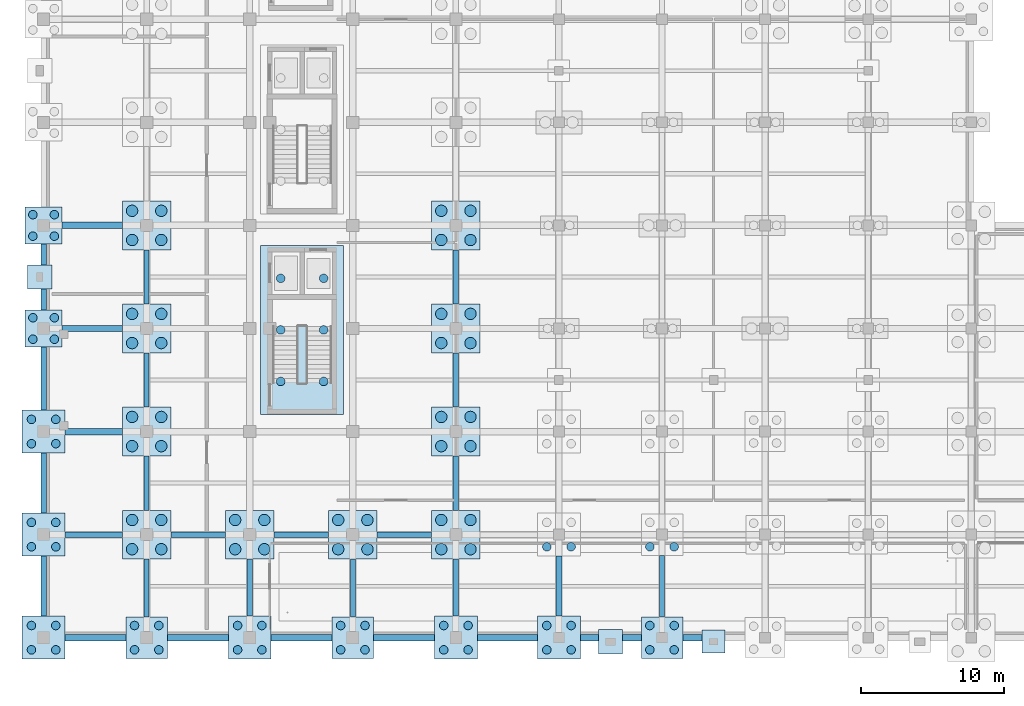
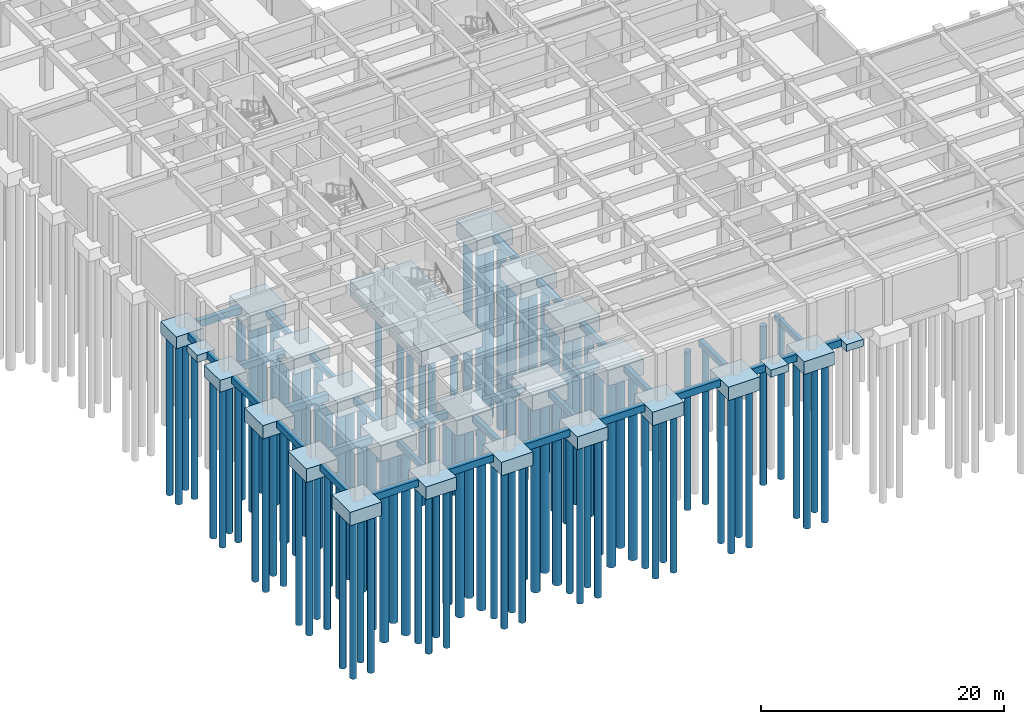
# One storey, part 1 of 28: 94 piles, 57 footings.
"""IFC4 building model written with IfcOpenShell, lengths in metres."""

from ifc_helpers import new_model, si_unit, direction, frame, origin, origin_2d, place, context, subcontext, project, spatial, rectangle, circle, extrude, material, material_profile, profile_set, type_object, element, save


model = new_model("IFC4")

# Units and contexts
model_context = context("Model", 3, precision=1e-05, world=origin(), true_north=direction((0.0, 1.0)))
body_context = subcontext(model_context, "Body", "Model", "MODEL_VIEW")
ifc_project = project(units=[si_unit("LENGTHUNIT", "METRE"), si_unit("AREAUNIT", "SQUARE_METRE"), si_unit("VOLUMEUNIT", "CUBIC_METRE"), si_unit("PLANEANGLEUNIT", "RADIAN"), si_unit("MASSUNIT", "GRAM", prefix="KILO")], contexts=[model_context])

# Site, building, storey
site_placement = place(None, origin())
site = spatial("IfcSite", under=ifc_project, at=site_placement, CompositionType="ELEMENT")
building_placement = place(site_placement, origin())
building = spatial("IfcBuilding", under=site, at=building_placement, Name="Alvorim Cloister Faculty of Sciences", CompositionType="ELEMENT")
storey_placement = place(building_placement, frame((0.0, 0.0, -4.5)))
storey = spatial("IfcBuildingStorey", under=building, at=storey_placement, Name="B01", CompositionType="ELEMENT", Elevation=-4.5)

# Footings
ifc_material_1 = material(Name="Concrete C40", Category="concrete")
footing_type_1 = type_object("IfcFootingType", Name="FT-PAD-1600x1600x700", PredefinedType="PAD_FOOTING", material=ifc_material_1)
footing_1_placement = place(storey_placement, frame((46.800048828125, -0.280029296875, -1.0), z_axis=(0.0, 0.0, 1.0), x_axis=(1.0, 0.0, 0.0)))
element("IfcFooting", 1, at=footing_1_placement, inside=storey, type_object=footing_type_1, Name="Buttress Pad Footing FT-0520", PredefinedType="PAD_FOOTING", context=body_context, shape_type="SweptSolid", body=[
    extrude(rectangle(XDim=1.60009765625, YDim=1.60009765625, at=origin_2d()), origin(), (0.0, 0.0, 1.0), 0.699951171875),
])
footing_type_2 = type_object("IfcFootingType", Name="FT-PAD-1700x1700x720", PredefinedType="PAD_FOOTING", material=ifc_material_1)
for number, where, z_axis, x_axis, name in (
    (2, (-0.280029296875, 25.199951171875, -1.02001953125), (0.0, 0.0, 1.0), (1.0, 0.0, 0.0), "Buttress Pad Footing FT-0508"),
    (3, (39.60009765625, -0.280029296875, -1.02001953125), (0.0, 0.0, 1.0), (1.0, 0.0, 0.0), "Buttress Pad Footing FT-0519"),
):
    element("IfcFooting", number, at=place(storey_placement, frame(where, z_axis=z_axis, x_axis=x_axis)), inside=storey, type_object=footing_type_2, Name=name, PredefinedType="PAD_FOOTING", context=body_context, shape_type="SweptSolid", body=[
        extrude(rectangle(XDim=1.699951171875, YDim=1.699951171875, at=origin_2d()), origin(), (0.0, 0.0, 1.0), 0.719970703125),
    ])
footing_type_3 = type_object("IfcFootingType", Name="FT-PC-2600x2600x1200", PredefinedType="PILE_CAP", material=ifc_material_1)
for number, where, z_axis, x_axis, name in (
    (4, (0.0, 21.60009765625, -1.5), (0.0, 0.0, 1.0), (1.0, 0.0, 0.0), "B01 Pile Cap FT-0004"),
    (5, (0.0, 28.800048828125, -1.5), (0.0, 0.0, 1.0), (1.0, 0.0, 0.0), "B01 Pile Cap FT-0005"),
):
    element("IfcFooting", number, at=place(storey_placement, frame(where, z_axis=z_axis, x_axis=x_axis)), inside=storey, type_object=footing_type_3, Name=name, PredefinedType="PILE_CAP", context=body_context, shape_type="SweptSolid", body=[
        extrude(rectangle(XDim=2.60009765625, YDim=2.60009765625, at=origin_2d()), origin(), (0.0, 0.0, 1.0), 1.199951171875),
    ])
footing_type_4 = type_object("IfcFootingType", Name="FT-PC-2900x2900x1300", PredefinedType="PILE_CAP", material=ifc_material_1)
for number, where, z_axis, x_axis, name in (
    (6, (7.199951171875, 0.0, -1.60009765625), (0.0, 0.0, 1.0), (1.0, 0.0, 0.0), "B01 Pile Cap FT-0018"),
    (7, (21.60009765625, 0.0, -1.60009765625), (0.0, 0.0, 1.0), (1.0, 0.0, 0.0), "B01 Pile Cap FT-0055"),
    (8, (43.199951171875, 0.0, -1.60009765625), (0.0, 0.0, 1.0), (1.0, 0.0, 0.0), "B01 Pile Cap FT-0094"),
):
    element("IfcFooting", number, at=place(storey_placement, frame(where, z_axis=z_axis, x_axis=x_axis)), inside=storey, type_object=footing_type_4, Name=name, PredefinedType="PILE_CAP", context=body_context, shape_type="SweptSolid", body=[
        extrude(rectangle(XDim=2.89990234375, YDim=2.89990234375, at=origin_2d()), origin(), (0.0, 0.0, 1.0), 1.300048828125),
    ])
footing_type_5 = type_object("IfcFootingType", Name="FT-PC-3000x3000x1350", PredefinedType="PILE_CAP", material=ifc_material_1)
for number, where, z_axis, x_axis, name in (
    (9, (0.0, 0.0, -1.650146484375), (0.0, 0.0, 1.0), (1.0, 0.0, 0.0), "B01 Pile Cap FT-0001"),
    (10, (0.0, 7.199951171875, -1.650146484375), (0.0, 0.0, 1.0), (1.0, 0.0, 0.0), "B01 Pile Cap FT-0002"),
    (11, (0.0, 14.39990234375, -1.650146484375), (0.0, 0.0, 1.0), (1.0, 0.0, 0.0), "B01 Pile Cap FT-0003"),
    (12, (14.39990234375, 0.0, -1.650146484375), (0.0, 0.0, 1.0), (1.0, 0.0, 0.0), "B01 Pile Cap FT-0035"),
    (13, (28.800048828125, 0.0, -1.650146484375), (0.0, 0.0, 1.0), (1.0, 0.0, 0.0), "B01 Pile Cap FT-0072"),
    (14, (36.0, 0.0, -1.650146484375), (0.0, 0.0, 1.0), (1.0, 0.0, 0.0), "B01 Pile Cap FT-0085"),
):
    element("IfcFooting", number, at=place(storey_placement, frame(where, z_axis=z_axis, x_axis=x_axis)), inside=storey, type_object=footing_type_5, Name=name, PredefinedType="PILE_CAP", context=body_context, shape_type="SweptSolid", body=[
        extrude(rectangle(XDim=3.0, YDim=3.0, at=origin_2d()), origin(), (0.0, 0.0, 1.0), 1.35009765625),
    ])
footing_type_6 = type_object("IfcFootingType", Name="FT-PC-3400x3400x1550", PredefinedType="PILE_CAP", material=ifc_material_1)
for number, where, z_axis, x_axis, name in (
    (15, (7.199951171875, 7.199951171875, -1.85009765625), (0.0, 0.0, 1.0), (1.0, 0.0, 0.0), "B01 Pile Cap FT-0019"),
    (16, (7.199951171875, 14.39990234375, -1.85009765625), (0.0, 0.0, 1.0), (1.0, 0.0, 0.0), "B01 Pile Cap FT-0020"),
    (17, (7.199951171875, 21.60009765625, -1.85009765625), (0.0, 0.0, 1.0), (1.0, 0.0, 0.0), "B01 Pile Cap FT-0021"),
    (18, (7.199951171875, 28.800048828125, -1.85009765625), (0.0, 0.0, 1.0), (1.0, 0.0, 0.0), "B01 Pile Cap FT-0022"),
    (19, (14.39990234375, 7.199951171875, -1.85009765625), (0.0, 0.0, 1.0), (1.0, 0.0, 0.0), "B01 Pile Cap FT-0036"),
    (20, (21.60009765625, 7.199951171875, -1.85009765625), (0.0, 0.0, 1.0), (1.0, 0.0, 0.0), "B01 Pile Cap FT-0056"),
    (21, (28.800048828125, 7.199951171875, -1.85009765625), (0.0, 0.0, 1.0), (1.0, 0.0, 0.0), "B01 Pile Cap FT-0073"),
    (22, (28.800048828125, 14.39990234375, -1.85009765625), (0.0, 0.0, 1.0), (1.0, 0.0, 0.0), "B01 Pile Cap FT-0074"),
    (23, (28.800048828125, 21.60009765625, -1.85009765625), (0.0, 0.0, 1.0), (1.0, 0.0, 0.0), "B01 Pile Cap FT-0075"),
    (24, (28.800048828125, 28.800048828125, -1.85009765625), (0.0, 0.0, 1.0), (1.0, 0.0, 0.0), "B01 Pile Cap FT-0076"),
):
    element("IfcFooting", number, at=place(storey_placement, frame(where, z_axis=z_axis, x_axis=x_axis)), inside=storey, type_object=footing_type_6, Name=name, PredefinedType="PILE_CAP", context=body_context, shape_type="SweptSolid", body=[
        extrude(rectangle(XDim=3.39990234375, YDim=3.39990234375, at=origin_2d()), origin(), (0.0, 0.0, 1.0), 1.550048828125),
    ])
footing_type_7 = type_object("IfcFootingType", Name="FT-PC-5800x11800x1550", PredefinedType="PILE_CAP", material=ifc_material_1)
footing_2_placement = place(storey_placement, frame((18.06005859375, 21.5, -1.85009765625), z_axis=(0.0, 0.0, 1.0), x_axis=(1.0, 0.0, 0.0)))
element("IfcFooting", 25, at=footing_2_placement, inside=storey, type_object=footing_type_7, Name="B01 Pile Cap FT-0200", PredefinedType="PILE_CAP", context=body_context, shape_type="SweptSolid", body=[
    extrude(rectangle(XDim=5.800048828125, YDim=11.800048828125, at=origin_2d()), origin(), (0.0, 0.0, 1.0), 1.550048828125),
])
footing_type_8 = type_object("IfcFootingType", Name="FT-TB-350x600", PredefinedType="FOOTING_BEAM", material=ifc_material_1)
footing_3_placement = place(storey_placement, frame((7.199951171875, 3.47509765625, -0.900146484375), z_axis=(0.0, 0.0, 1.0), x_axis=(1.0, 0.0, 0.0)))
element("IfcFooting", 26, at=footing_3_placement, inside=storey, type_object=footing_type_8, Name="Ground Tie Beam FT-0248", PredefinedType="FOOTING_BEAM", context=body_context, shape_type="SweptSolid", body=[
    extrude(rectangle(XDim=0.35009765625, YDim=4.050048828125, at=origin_2d()), origin(), (0.0, 0.0, 1.0), 0.60009765625),
])
for number, where, z_axis, x_axis, name in (
    (27, (7.199951171875, 10.800048828125, -0.900146484375), (0.0, 0.0, 1.0), (1.0, 0.0, 0.0), "Ground Tie Beam FT-0250"),
    (28, (7.199951171875, 18.0, -0.900146484375), (0.0, 0.0, 1.0), (1.0, 0.0, 0.0), "Ground Tie Beam FT-0252"),
    (29, (7.199951171875, 25.199951171875, -0.900146484375), (0.0, 0.0, 1.0), (1.0, 0.0, 0.0), "Ground Tie Beam FT-0253"),
):
    element("IfcFooting", number, at=place(storey_placement, frame(where, z_axis=z_axis, x_axis=x_axis)), inside=storey, type_object=footing_type_8, Name=name, PredefinedType="FOOTING_BEAM", context=body_context, shape_type="SweptSolid", body=[
        extrude(rectangle(XDim=0.35009765625, YDim=3.800048828125, at=origin_2d()), origin(), (0.0, 0.0, 1.0), 0.60009765625),
    ])
footing_4_placement = place(storey_placement, frame((21.60009765625, 3.47509765625, -0.900146484375), z_axis=(0.0, 0.0, 1.0), x_axis=(1.0, 0.0, 0.0)))
element("IfcFooting", 30, at=footing_4_placement, inside=storey, type_object=footing_type_8, Name="Ground Tie Beam FT-0285", PredefinedType="FOOTING_BEAM", context=body_context, shape_type="SweptSolid", body=[
    extrude(rectangle(XDim=0.35009765625, YDim=4.050048828125, at=origin_2d()), origin(), (0.0, 0.0, 1.0), 0.60009765625),
])
footing_5_placement = place(storey_placement, frame((43.199951171875, 3.60009765625, -0.900146484375), z_axis=(0.0, 0.0, 1.0), x_axis=(1.0, 0.0, 0.0)))
element("IfcFooting", 31, at=footing_5_placement, inside=storey, type_object=footing_type_8, Name="Ground Tie Beam FT-0328", PredefinedType="FOOTING_BEAM", context=body_context, shape_type="SweptSolid", body=[
    extrude(rectangle(XDim=0.35009765625, YDim=4.300048828125, at=origin_2d()), origin(), (0.0, 0.0, 1.0), 0.60009765625),
])
footing_type_9 = type_object("IfcFootingType", Name="FT-TB-400x650", PredefinedType="FOOTING_BEAM", material=ifc_material_1)
for number, where, z_axis, x_axis, name in (
    (32, (0.0, 3.60009765625, -0.949951171875), (0.0, 0.0, 1.0), (1.0, 0.0, 0.0), "Ground Tie Beam FT-0207"),
    (33, (0.0, 10.800048828125, -0.949951171875), (0.0, 0.0, 1.0), (1.0, 0.0, 0.0), "Ground Tie Beam FT-0209"),
):
    element("IfcFooting", number, at=place(storey_placement, frame(where, z_axis=z_axis, x_axis=x_axis)), inside=storey, type_object=footing_type_9, Name=name, PredefinedType="FOOTING_BEAM", context=body_context, shape_type="SweptSolid", body=[
        extrude(rectangle(XDim=0.39990234375, YDim=4.199951171875, at=origin_2d()), origin(), (0.0, 0.0, 1.0), 0.64990234375),
    ])
footing_6_placement = place(storey_placement, frame((3.5, 7.199951171875, -0.949951171875), z_axis=(0.0, 0.0, 1.0), x_axis=(1.0, 0.0, 0.0)))
element("IfcFooting", 34, at=footing_6_placement, inside=storey, type_object=footing_type_9, Name="Ground Tie Beam FT-0210", PredefinedType="FOOTING_BEAM", context=body_context, shape_type="SweptSolid", body=[
    extrude(rectangle(XDim=4.0, YDim=0.39990234375, at=origin_2d()), origin(), (0.0, 0.0, 1.0), 0.64990234375),
])
footing_7_placement = place(storey_placement, frame((0.0, 18.10009765625, -0.949951171875), z_axis=(0.0, 0.0, 1.0), x_axis=(1.0, 0.0, 0.0)))
element("IfcFooting", 35, at=footing_7_placement, inside=storey, type_object=footing_type_9, Name="Ground Tie Beam FT-0211", PredefinedType="FOOTING_BEAM", context=body_context, shape_type="SweptSolid", body=[
    extrude(rectangle(XDim=0.39990234375, YDim=4.39990234375, at=origin_2d()), origin(), (0.0, 0.0, 1.0), 0.64990234375),
])
for number, where, z_axis, x_axis, name in (
    (36, (0.0, 23.625, -0.949951171875), (0.0, 0.0, 1.0), (1.0, 0.0, 0.0), "Ground Tie Beam FT-0213"),
    (37, (0.0, 26.77490234375, -0.949951171875), (0.0, 0.0, 1.0), (1.0, 0.0, 0.0), "Ground Tie Beam FT-0214"),
):
    element("IfcFooting", number, at=place(storey_placement, frame(where, z_axis=z_axis, x_axis=x_axis)), inside=storey, type_object=footing_type_9, Name=name, PredefinedType="FOOTING_BEAM", context=body_context, shape_type="SweptSolid", body=[
        extrude(rectangle(XDim=0.39990234375, YDim=1.449951171875, at=origin_2d()), origin(), (0.0, 0.0, 1.0), 0.64990234375),
    ])
footing_8_placement = place(storey_placement, frame((3.39990234375, 21.60009765625, -0.949951171875), z_axis=(0.0, 0.0, 1.0), x_axis=(1.0, 0.0, 0.0)))
element("IfcFooting", 38, at=footing_8_placement, inside=storey, type_object=footing_type_9, Name="Ground Tie Beam FT-0215", PredefinedType="FOOTING_BEAM", context=body_context, shape_type="SweptSolid", body=[
    extrude(rectangle(XDim=4.199951171875, YDim=0.39990234375, at=origin_2d()), origin(), (0.0, 0.0, 1.0), 0.64990234375),
])
footing_9_placement = place(storey_placement, frame((10.800048828125, 7.199951171875, -0.949951171875), z_axis=(0.0, 0.0, 1.0), x_axis=(1.0, 0.0, 0.0)))
element("IfcFooting", 39, at=footing_9_placement, inside=storey, type_object=footing_type_9, Name="Ground Tie Beam FT-0251", PredefinedType="FOOTING_BEAM", context=body_context, shape_type="SweptSolid", body=[
    extrude(rectangle(XDim=3.800048828125, YDim=0.39990234375, at=origin_2d()), origin(), (0.0, 0.0, 1.0), 0.64990234375),
])
footing_10_placement = place(storey_placement, frame((14.39990234375, 3.5, -0.949951171875), z_axis=(0.0, 0.0, 1.0), x_axis=(1.0, 0.0, 0.0)))
element("IfcFooting", 40, at=footing_10_placement, inside=storey, type_object=footing_type_9, Name="Ground Tie Beam FT-0272", PredefinedType="FOOTING_BEAM", context=body_context, shape_type="SweptSolid", body=[
    extrude(rectangle(XDim=0.39990234375, YDim=4.0, at=origin_2d()), origin(), (0.0, 0.0, 1.0), 0.64990234375),
])
for number, where, z_axis, x_axis, name in (
    (41, (18.0, 7.199951171875, -0.949951171875), (0.0, 0.0, 1.0), (1.0, 0.0, 0.0), "Ground Tie Beam FT-0274"),
    (42, (25.199951171875, 7.199951171875, -0.949951171875), (0.0, 0.0, 1.0), (1.0, 0.0, 0.0), "Ground Tie Beam FT-0287"),
):
    element("IfcFooting", number, at=place(storey_placement, frame(where, z_axis=z_axis, x_axis=x_axis)), inside=storey, type_object=footing_type_9, Name=name, PredefinedType="FOOTING_BEAM", context=body_context, shape_type="SweptSolid", body=[
        extrude(rectangle(XDim=3.800048828125, YDim=0.39990234375, at=origin_2d()), origin(), (0.0, 0.0, 1.0), 0.64990234375),
    ])
footing_11_placement = place(storey_placement, frame((28.800048828125, 3.5, -0.949951171875), z_axis=(0.0, 0.0, 1.0), x_axis=(1.0, 0.0, 0.0)))
element("IfcFooting", 43, at=footing_11_placement, inside=storey, type_object=footing_type_9, Name="Ground Tie Beam FT-0294", PredefinedType="FOOTING_BEAM", context=body_context, shape_type="SweptSolid", body=[
    extrude(rectangle(XDim=0.39990234375, YDim=4.0, at=origin_2d()), origin(), (0.0, 0.0, 1.0), 0.64990234375),
])
for number, where, z_axis, x_axis, name in (
    (44, (28.800048828125, 10.800048828125, -0.949951171875), (0.0, 0.0, 1.0), (1.0, 0.0, 0.0), "Ground Tie Beam FT-0296"),
    (45, (28.800048828125, 18.0, -0.949951171875), (0.0, 0.0, 1.0), (1.0, 0.0, 0.0), "Ground Tie Beam FT-0298"),
    (46, (28.800048828125, 25.199951171875, -0.949951171875), (0.0, 0.0, 1.0), (1.0, 0.0, 0.0), "Ground Tie Beam FT-0300"),
):
    element("IfcFooting", number, at=place(storey_placement, frame(where, z_axis=z_axis, x_axis=x_axis)), inside=storey, type_object=footing_type_9, Name=name, PredefinedType="FOOTING_BEAM", context=body_context, shape_type="SweptSolid", body=[
        extrude(rectangle(XDim=0.39990234375, YDim=3.800048828125, at=origin_2d()), origin(), (0.0, 0.0, 1.0), 0.64990234375),
    ])
footing_12_placement = place(storey_placement, frame((36.0, 3.60009765625, -0.949951171875), z_axis=(0.0, 0.0, 1.0), x_axis=(1.0, 0.0, 0.0)))
element("IfcFooting", 47, at=footing_12_placement, inside=storey, type_object=footing_type_9, Name="Ground Tie Beam FT-0315", PredefinedType="FOOTING_BEAM", context=body_context, shape_type="SweptSolid", body=[
    extrude(rectangle(XDim=0.39990234375, YDim=4.199951171875, at=origin_2d()), origin(), (0.0, 0.0, 1.0), 0.64990234375),
])
footing_type_10 = type_object("IfcFootingType", Name="FT-TB-450x700", PredefinedType="FOOTING_BEAM", material=ifc_material_1)
footing_13_placement = place(storey_placement, frame((3.625, 0.0, -1.0), z_axis=(0.0, 0.0, 1.0), x_axis=(1.0, 0.0, 0.0)))
element("IfcFooting", 48, at=footing_13_placement, inside=storey, type_object=footing_type_10, Name="Ground Tie Beam FT-0208", PredefinedType="FOOTING_BEAM", context=body_context, shape_type="SweptSolid", body=[
    extrude(rectangle(XDim=4.25, YDim=0.449951171875, at=origin_2d()), origin(), (0.0, 0.0, 1.0), 0.699951171875),
])
footing_14_placement = place(storey_placement, frame((3.5, 14.39990234375, -1.0), z_axis=(0.0, 0.0, 1.0), x_axis=(1.0, 0.0, 0.0)))
element("IfcFooting", 49, at=footing_14_placement, inside=storey, type_object=footing_type_10, Name="Ground Tie Beam FT-0212", PredefinedType="FOOTING_BEAM", context=body_context, shape_type="SweptSolid", body=[
    extrude(rectangle(XDim=4.0, YDim=0.449951171875, at=origin_2d()), origin(), (0.0, 0.0, 1.0), 0.699951171875),
])
footing_15_placement = place(storey_placement, frame((3.39990234375, 28.800048828125, -1.0), z_axis=(0.0, 0.0, 1.0), x_axis=(1.0, 0.0, 0.0)))
element("IfcFooting", 50, at=footing_15_placement, inside=storey, type_object=footing_type_10, Name="Ground Tie Beam FT-0217", PredefinedType="FOOTING_BEAM", context=body_context, shape_type="SweptSolid", body=[
    extrude(rectangle(XDim=4.199951171875, YDim=0.449951171875, at=origin_2d()), origin(), (0.0, 0.0, 1.0), 0.699951171875),
])
for number, where, z_axis, x_axis, name in (
    (51, (10.77490234375, 0.0, -1.0), (0.0, 0.0, 1.0), (1.0, 0.0, 0.0), "Ground Tie Beam FT-0249"),
    (52, (18.02490234375, 0.0, -1.0), (0.0, 0.0, 1.0), (1.0, 0.0, 0.0), "Ground Tie Beam FT-0273"),
    (53, (25.175048828125, 0.0, -1.0), (0.0, 0.0, 1.0), (1.0, 0.0, 0.0), "Ground Tie Beam FT-0286"),
):
    element("IfcFooting", number, at=place(storey_placement, frame(where, z_axis=z_axis, x_axis=x_axis)), inside=storey, type_object=footing_type_10, Name=name, PredefinedType="FOOTING_BEAM", context=body_context, shape_type="SweptSolid", body=[
        extrude(rectangle(XDim=4.25, YDim=0.449951171875, at=origin_2d()), origin(), (0.0, 0.0, 1.0), 0.699951171875),
    ])
footing_16_placement = place(storey_placement, frame((32.39990234375, 0.0, -1.0), z_axis=(0.0, 0.0, 1.0), x_axis=(1.0, 0.0, 0.0)))
element("IfcFooting", 54, at=footing_16_placement, inside=storey, type_object=footing_type_10, Name="Ground Tie Beam FT-0295", PredefinedType="FOOTING_BEAM", context=body_context, shape_type="SweptSolid", body=[
    extrude(rectangle(XDim=4.199951171875, YDim=0.449951171875, at=origin_2d()), origin(), (0.0, 0.0, 1.0), 0.699951171875),
])
footing_17_placement = place(storey_placement, frame((38.125, 0.0, -1.0), z_axis=(0.0, 0.0, 1.0), x_axis=(1.0, 0.0, 0.0)))
element("IfcFooting", 55, at=footing_17_placement, inside=storey, type_object=footing_type_10, Name="Ground Tie Beam FT-0316", PredefinedType="FOOTING_BEAM", context=body_context, shape_type="SweptSolid", body=[
    extrude(rectangle(XDim=1.25, YDim=0.449951171875, at=origin_2d()), origin(), (0.0, 0.0, 1.0), 0.699951171875),
])
footing_18_placement = place(storey_placement, frame((41.10009765625, 0.0, -1.0), z_axis=(0.0, 0.0, 1.0), x_axis=(1.0, 0.0, 0.0)))
element("IfcFooting", 56, at=footing_18_placement, inside=storey, type_object=footing_type_10, Name="Ground Tie Beam FT-0317", PredefinedType="FOOTING_BEAM", context=body_context, shape_type="SweptSolid", body=[
    extrude(rectangle(XDim=1.300048828125, YDim=0.449951171875, at=origin_2d()), origin(), (0.0, 0.0, 1.0), 0.699951171875),
])
footing_19_placement = place(storey_placement, frame((45.324951171875, 0.0, -1.0), z_axis=(0.0, 0.0, 1.0), x_axis=(1.0, 0.0, 0.0)))
element("IfcFooting", 57, at=footing_19_placement, inside=storey, type_object=footing_type_10, Name="Ground Tie Beam FT-0329", PredefinedType="FOOTING_BEAM", context=body_context, shape_type="SweptSolid", body=[
    extrude(rectangle(XDim=1.35009765625, YDim=0.449951171875, at=origin_2d()), origin(), (0.0, 0.0, 1.0), 0.699951171875),
])

# Piles
ifc_material_2 = material(Name="Concrete C30", Category="concrete")
ifc_material_profile_1 = material_profile(ifc_material_2, circle(Radius=0.300048828125, at=origin_2d()), Name="PILE-D600")
ifc_profile_set_1 = profile_set([ifc_material_profile_1], Name="Concrete C30")
pile_type_1 = type_object("IfcPileType", Name="PL-BORED-D600", PredefinedType="BORED", material=ifc_profile_set_1)
for number, where, z_axis, x_axis, name in (
    (58, (-0.85009765625, -0.85009765625, -1.550048828125), (0.0, 0.0, -1.0), (1.0, 0.0, 0.0), "Bored Pile PL-0001"),
    (59, (0.85009765625, -0.85009765625, -1.550048828125), (0.0, 0.0, -1.0), (1.0, 0.0, 0.0), "Bored Pile PL-0002"),
    (60, (-0.85009765625, 0.85009765625, -1.550048828125), (0.0, 0.0, -1.0), (1.0, 0.0, 0.0), "Bored Pile PL-0003"),
    (61, (0.85009765625, 0.85009765625, -1.550048828125), (0.0, 0.0, -1.0), (1.0, 0.0, 0.0), "Bored Pile PL-0004"),
    (62, (-0.85009765625, 6.35009765625, -1.550048828125), (0.0, 0.0, -1.0), (1.0, 0.0, 0.0), "Bored Pile PL-0005"),
    (63, (0.85009765625, 6.35009765625, -1.550048828125), (0.0, 0.0, -1.0), (1.0, 0.0, 0.0), "Bored Pile PL-0006"),
    (64, (-0.85009765625, 8.050048828125, -1.550048828125), (0.0, 0.0, -1.0), (1.0, 0.0, 0.0), "Bored Pile PL-0007"),
    (65, (0.85009765625, 8.050048828125, -1.550048828125), (0.0, 0.0, -1.0), (1.0, 0.0, 0.0), "Bored Pile PL-0008"),
    (66, (-0.85009765625, 13.550048828125, -1.550048828125), (0.0, 0.0, -1.0), (1.0, 0.0, 0.0), "Bored Pile PL-0009"),
    (67, (0.85009765625, 13.550048828125, -1.550048828125), (0.0, 0.0, -1.0), (1.0, 0.0, 0.0), "Bored Pile PL-0010"),
    (68, (-0.85009765625, 15.25, -1.550048828125), (0.0, 0.0, -1.0), (1.0, 0.0, 0.0), "Bored Pile PL-0011"),
    (69, (0.85009765625, 15.25, -1.550048828125), (0.0, 0.0, -1.0), (1.0, 0.0, 0.0), "Bored Pile PL-0012"),
):
    element("IfcPile", number, at=place(storey_placement, frame(where, z_axis=z_axis, x_axis=x_axis)), inside=storey, type_object=pile_type_1, Name=name, PredefinedType="BORED", context=body_context, shape_type="SweptSolid", body=[
        extrude(circle(Radius=0.300048828125, at=origin_2d()), origin(), (0.0, 0.0, 1.0), 15.949951171875),
    ])
for number, where, z_axis, x_axis, name in (
    (70, (-0.75, 20.85009765625, -1.39990234375), (0.0, 0.0, -1.0), (1.0, 0.0, 0.0), "Bored Pile PL-0013"),
    (71, (0.75, 20.85009765625, -1.39990234375), (0.0, 0.0, -1.0), (1.0, 0.0, 0.0), "Bored Pile PL-0014"),
    (72, (-0.75, 22.35009765625, -1.39990234375), (0.0, 0.0, -1.0), (1.0, 0.0, 0.0), "Bored Pile PL-0015"),
    (73, (0.75, 22.35009765625, -1.39990234375), (0.0, 0.0, -1.0), (1.0, 0.0, 0.0), "Bored Pile PL-0016"),
    (74, (-0.75, 28.050048828125, -1.39990234375), (0.0, 0.0, -1.0), (1.0, 0.0, 0.0), "Bored Pile PL-0017"),
    (75, (0.75, 28.050048828125, -1.39990234375), (0.0, 0.0, -1.0), (1.0, 0.0, 0.0), "Bored Pile PL-0018"),
    (76, (-0.75, 29.550048828125, -1.39990234375), (0.0, 0.0, -1.0), (1.0, 0.0, 0.0), "Bored Pile PL-0019"),
    (77, (0.75, 29.550048828125, -1.39990234375), (0.0, 0.0, -1.0), (1.0, 0.0, 0.0), "Bored Pile PL-0020"),
):
    element("IfcPile", number, at=place(storey_placement, frame(where, z_axis=z_axis, x_axis=x_axis)), inside=storey, type_object=pile_type_1, Name=name, PredefinedType="BORED", context=body_context, shape_type="SweptSolid", body=[
        extrude(circle(Radius=0.300048828125, at=origin_2d()), origin(), (0.0, 0.0, 1.0), 16.10009765625),
    ])
for number, where, z_axis, x_axis, name in (
    (78, (6.35009765625, -0.85009765625, -1.5), (0.0, 0.0, -1.0), (1.0, 0.0, 0.0), "Bored Pile PL-0069"),
    (79, (8.050048828125, -0.85009765625, -1.5), (0.0, 0.0, -1.0), (1.0, 0.0, 0.0), "Bored Pile PL-0070"),
    (80, (6.35009765625, 0.85009765625, -1.5), (0.0, 0.0, -1.0), (1.0, 0.0, 0.0), "Bored Pile PL-0071"),
    (81, (8.050048828125, 0.85009765625, -1.5), (0.0, 0.0, -1.0), (1.0, 0.0, 0.0), "Bored Pile PL-0072"),
):
    element("IfcPile", number, at=place(storey_placement, frame(where, z_axis=z_axis, x_axis=x_axis)), inside=storey, type_object=pile_type_1, Name=name, PredefinedType="BORED", context=body_context, shape_type="SweptSolid", body=[
        extrude(circle(Radius=0.300048828125, at=origin_2d()), origin(), (0.0, 0.0, 1.0), 16.0),
    ])
for number, where, z_axis, x_axis, name in (
    (82, (13.550048828125, -0.85009765625, -1.550048828125), (0.0, 0.0, -1.0), (1.0, 0.0, 0.0), "Bored Pile PL-0137"),
    (83, (15.25, -0.85009765625, -1.550048828125), (0.0, 0.0, -1.0), (1.0, 0.0, 0.0), "Bored Pile PL-0138"),
    (84, (13.550048828125, 0.85009765625, -1.550048828125), (0.0, 0.0, -1.0), (1.0, 0.0, 0.0), "Bored Pile PL-0139"),
    (85, (15.25, 0.85009765625, -1.550048828125), (0.0, 0.0, -1.0), (1.0, 0.0, 0.0), "Bored Pile PL-0140"),
):
    element("IfcPile", number, at=place(storey_placement, frame(where, z_axis=z_axis, x_axis=x_axis)), inside=storey, type_object=pile_type_1, Name=name, PredefinedType="BORED", context=body_context, shape_type="SweptSolid", body=[
        extrude(circle(Radius=0.300048828125, at=origin_2d()), origin(), (0.0, 0.0, 1.0), 15.949951171875),
    ])
for number, where, z_axis, x_axis, name in (
    (86, (20.75, -0.85009765625, -1.5), (0.0, 0.0, -1.0), (1.0, 0.0, 0.0), "Bored Pile PL-0217"),
    (87, (22.449951171875, -0.85009765625, -1.5), (0.0, 0.0, -1.0), (1.0, 0.0, 0.0), "Bored Pile PL-0218"),
    (88, (20.75, 0.85009765625, -1.5), (0.0, 0.0, -1.0), (1.0, 0.0, 0.0), "Bored Pile PL-0219"),
    (89, (22.449951171875, 0.85009765625, -1.5), (0.0, 0.0, -1.0), (1.0, 0.0, 0.0), "Bored Pile PL-0220"),
):
    element("IfcPile", number, at=place(storey_placement, frame(where, z_axis=z_axis, x_axis=x_axis)), inside=storey, type_object=pile_type_1, Name=name, PredefinedType="BORED", context=body_context, shape_type="SweptSolid", body=[
        extrude(circle(Radius=0.300048828125, at=origin_2d()), origin(), (0.0, 0.0, 1.0), 16.0),
    ])
for number, where, z_axis, x_axis, name in (
    (90, (27.949951171875, -0.85009765625, -1.550048828125), (0.0, 0.0, -1.0), (1.0, 0.0, 0.0), "Bored Pile PL-0285"),
    (91, (29.64990234375, -0.85009765625, -1.550048828125), (0.0, 0.0, -1.0), (1.0, 0.0, 0.0), "Bored Pile PL-0286"),
    (92, (27.949951171875, 0.85009765625, -1.550048828125), (0.0, 0.0, -1.0), (1.0, 0.0, 0.0), "Bored Pile PL-0287"),
    (93, (29.64990234375, 0.85009765625, -1.550048828125), (0.0, 0.0, -1.0), (1.0, 0.0, 0.0), "Bored Pile PL-0288"),
    (94, (35.14990234375, -0.85009765625, -1.550048828125), (0.0, 0.0, -1.0), (1.0, 0.0, 0.0), "Bored Pile PL-0337"),
    (95, (36.85009765625, -0.85009765625, -1.550048828125), (0.0, 0.0, -1.0), (1.0, 0.0, 0.0), "Bored Pile PL-0338"),
    (96, (35.14990234375, 0.85009765625, -1.550048828125), (0.0, 0.0, -1.0), (1.0, 0.0, 0.0), "Bored Pile PL-0339"),
    (97, (36.85009765625, 0.85009765625, -1.550048828125), (0.0, 0.0, -1.0), (1.0, 0.0, 0.0), "Bored Pile PL-0340"),
    (98, (35.14990234375, 6.35009765625, -1.550048828125), (0.0, 0.0, -1.0), (1.0, 0.0, 0.0), "Bored Pile PL-0341"),
    (99, (36.85009765625, 6.35009765625, -1.550048828125), (0.0, 0.0, -1.0), (1.0, 0.0, 0.0), "Bored Pile PL-0342"),
):
    element("IfcPile", number, at=place(storey_placement, frame(where, z_axis=z_axis, x_axis=x_axis)), inside=storey, type_object=pile_type_1, Name=name, PredefinedType="BORED", context=body_context, shape_type="SweptSolid", body=[
        extrude(circle(Radius=0.300048828125, at=origin_2d()), origin(), (0.0, 0.0, 1.0), 15.949951171875),
    ])
for number, where, z_axis, x_axis, name in (
    (100, (42.35009765625, -0.85009765625, -1.5), (0.0, 0.0, -1.0), (1.0, 0.0, 0.0), "Bored Pile PL-0367"),
    (101, (44.050048828125, -0.85009765625, -1.5), (0.0, 0.0, -1.0), (1.0, 0.0, 0.0), "Bored Pile PL-0368"),
    (102, (42.35009765625, 0.85009765625, -1.5), (0.0, 0.0, -1.0), (1.0, 0.0, 0.0), "Bored Pile PL-0369"),
    (103, (44.050048828125, 0.85009765625, -1.5), (0.0, 0.0, -1.0), (1.0, 0.0, 0.0), "Bored Pile PL-0370"),
    (104, (42.35009765625, 6.35009765625, -1.5), (0.0, 0.0, -1.0), (1.0, 0.0, 0.0), "Bored Pile PL-0371"),
    (105, (44.050048828125, 6.35009765625, -1.5), (0.0, 0.0, -1.0), (1.0, 0.0, 0.0), "Bored Pile PL-0372"),
):
    element("IfcPile", number, at=place(storey_placement, frame(where, z_axis=z_axis, x_axis=x_axis)), inside=storey, type_object=pile_type_1, Name=name, PredefinedType="BORED", context=body_context, shape_type="SweptSolid", body=[
        extrude(circle(Radius=0.300048828125, at=origin_2d()), origin(), (0.0, 0.0, 1.0), 16.0),
    ])
for number, where, z_axis, x_axis, name in (
    (106, (16.56005859375, 17.89990234375, -1.75), (0.0, 0.0, -1.0), (1.0, 0.0, 0.0), "Bored Pile PL-0753"),
    (107, (19.56005859375, 17.89990234375, -1.75), (0.0, 0.0, -1.0), (1.0, 0.0, 0.0), "Bored Pile PL-0754"),
    (108, (16.56005859375, 21.5, -1.75), (0.0, 0.0, -1.0), (1.0, 0.0, 0.0), "Bored Pile PL-0755"),
    (109, (19.56005859375, 21.5, -1.75), (0.0, 0.0, -1.0), (1.0, 0.0, 0.0), "Bored Pile PL-0756"),
    (110, (16.56005859375, 25.10009765625, -1.75), (0.0, 0.0, -1.0), (1.0, 0.0, 0.0), "Bored Pile PL-0757"),
    (111, (19.56005859375, 25.10009765625, -1.75), (0.0, 0.0, -1.0), (1.0, 0.0, 0.0), "Bored Pile PL-0758"),
):
    element("IfcPile", number, at=place(storey_placement, frame(where, z_axis=z_axis, x_axis=x_axis)), inside=storey, type_object=pile_type_1, Name=name, PredefinedType="BORED", context=body_context, shape_type="SweptSolid", body=[
        extrude(circle(Radius=0.300048828125, at=origin_2d()), origin(), (0.0, 0.0, 1.0), 15.75),
    ])
ifc_material_profile_2 = material_profile(ifc_material_2, circle(Radius=0.39990234375, at=origin_2d()), Name="PILE-D800")
ifc_profile_set_2 = profile_set([ifc_material_profile_2], Name="Concrete C30")
pile_type_2 = type_object("IfcPileType", Name="PL-BORED-D800", PredefinedType="BORED", material=ifc_profile_set_2)
for number, where, z_axis, x_axis, name in (
    (112, (6.179931640625, 6.179931640625, -1.75), (0.0, 0.0, -1.0), (1.0, 0.0, 0.0), "Bored Pile PL-0073"),
    (113, (8.219970703125, 6.179931640625, -1.75), (0.0, 0.0, -1.0), (1.0, 0.0, 0.0), "Bored Pile PL-0074"),
    (114, (6.179931640625, 8.219970703125, -1.75), (0.0, 0.0, -1.0), (1.0, 0.0, 0.0), "Bored Pile PL-0075"),
    (115, (8.219970703125, 8.219970703125, -1.75), (0.0, 0.0, -1.0), (1.0, 0.0, 0.0), "Bored Pile PL-0076"),
    (116, (6.179931640625, 13.3798828125, -1.75), (0.0, 0.0, -1.0), (1.0, 0.0, 0.0), "Bored Pile PL-0077"),
    (117, (8.219970703125, 13.3798828125, -1.75), (0.0, 0.0, -1.0), (1.0, 0.0, 0.0), "Bored Pile PL-0078"),
    (118, (6.179931640625, 15.419921875, -1.75), (0.0, 0.0, -1.0), (1.0, 0.0, 0.0), "Bored Pile PL-0079"),
    (119, (8.219970703125, 15.419921875, -1.75), (0.0, 0.0, -1.0), (1.0, 0.0, 0.0), "Bored Pile PL-0080"),
    (120, (6.179931640625, 20.580078125, -1.75), (0.0, 0.0, -1.0), (1.0, 0.0, 0.0), "Bored Pile PL-0081"),
    (121, (8.219970703125, 20.580078125, -1.75), (0.0, 0.0, -1.0), (1.0, 0.0, 0.0), "Bored Pile PL-0082"),
    (122, (6.179931640625, 22.6201171875, -1.75), (0.0, 0.0, -1.0), (1.0, 0.0, 0.0), "Bored Pile PL-0083"),
    (123, (8.219970703125, 22.6201171875, -1.75), (0.0, 0.0, -1.0), (1.0, 0.0, 0.0), "Bored Pile PL-0084"),
    (124, (6.179931640625, 27.780029296875, -1.75), (0.0, 0.0, -1.0), (1.0, 0.0, 0.0), "Bored Pile PL-0085"),
    (125, (8.219970703125, 27.780029296875, -1.75), (0.0, 0.0, -1.0), (1.0, 0.0, 0.0), "Bored Pile PL-0086"),
    (126, (6.179931640625, 29.820068359375, -1.75), (0.0, 0.0, -1.0), (1.0, 0.0, 0.0), "Bored Pile PL-0087"),
    (127, (8.219970703125, 29.820068359375, -1.75), (0.0, 0.0, -1.0), (1.0, 0.0, 0.0), "Bored Pile PL-0088"),
    (128, (13.3798828125, 6.179931640625, -1.75), (0.0, 0.0, -1.0), (1.0, 0.0, 0.0), "Bored Pile PL-0141"),
    (129, (15.419921875, 6.179931640625, -1.75), (0.0, 0.0, -1.0), (1.0, 0.0, 0.0), "Bored Pile PL-0142"),
    (130, (13.3798828125, 8.219970703125, -1.75), (0.0, 0.0, -1.0), (1.0, 0.0, 0.0), "Bored Pile PL-0143"),
    (131, (15.419921875, 8.219970703125, -1.75), (0.0, 0.0, -1.0), (1.0, 0.0, 0.0), "Bored Pile PL-0144"),
    (132, (20.580078125, 6.179931640625, -1.75), (0.0, 0.0, -1.0), (1.0, 0.0, 0.0), "Bored Pile PL-0221"),
    (133, (22.6201171875, 6.179931640625, -1.75), (0.0, 0.0, -1.0), (1.0, 0.0, 0.0), "Bored Pile PL-0222"),
    (134, (20.580078125, 8.219970703125, -1.75), (0.0, 0.0, -1.0), (1.0, 0.0, 0.0), "Bored Pile PL-0223"),
    (135, (22.6201171875, 8.219970703125, -1.75), (0.0, 0.0, -1.0), (1.0, 0.0, 0.0), "Bored Pile PL-0224"),
    (136, (27.780029296875, 6.179931640625, -1.75), (0.0, 0.0, -1.0), (1.0, 0.0, 0.0), "Bored Pile PL-0289"),
    (137, (29.820068359375, 6.179931640625, -1.75), (0.0, 0.0, -1.0), (1.0, 0.0, 0.0), "Bored Pile PL-0290"),
    (138, (27.780029296875, 8.219970703125, -1.75), (0.0, 0.0, -1.0), (1.0, 0.0, 0.0), "Bored Pile PL-0291"),
    (139, (29.820068359375, 8.219970703125, -1.75), (0.0, 0.0, -1.0), (1.0, 0.0, 0.0), "Bored Pile PL-0292"),
    (140, (27.780029296875, 13.3798828125, -1.75), (0.0, 0.0, -1.0), (1.0, 0.0, 0.0), "Bored Pile PL-0293"),
    (141, (29.820068359375, 13.3798828125, -1.75), (0.0, 0.0, -1.0), (1.0, 0.0, 0.0), "Bored Pile PL-0294"),
    (142, (27.780029296875, 15.419921875, -1.75), (0.0, 0.0, -1.0), (1.0, 0.0, 0.0), "Bored Pile PL-0295"),
    (143, (29.820068359375, 15.419921875, -1.75), (0.0, 0.0, -1.0), (1.0, 0.0, 0.0), "Bored Pile PL-0296"),
    (144, (27.780029296875, 20.580078125, -1.75), (0.0, 0.0, -1.0), (1.0, 0.0, 0.0), "Bored Pile PL-0297"),
    (145, (29.820068359375, 20.580078125, -1.75), (0.0, 0.0, -1.0), (1.0, 0.0, 0.0), "Bored Pile PL-0298"),
    (146, (27.780029296875, 22.6201171875, -1.75), (0.0, 0.0, -1.0), (1.0, 0.0, 0.0), "Bored Pile PL-0299"),
    (147, (29.820068359375, 22.6201171875, -1.75), (0.0, 0.0, -1.0), (1.0, 0.0, 0.0), "Bored Pile PL-0300"),
    (148, (27.780029296875, 27.780029296875, -1.75), (0.0, 0.0, -1.0), (1.0, 0.0, 0.0), "Bored Pile PL-0301"),
    (149, (29.820068359375, 27.780029296875, -1.75), (0.0, 0.0, -1.0), (1.0, 0.0, 0.0), "Bored Pile PL-0302"),
    (150, (27.780029296875, 29.820068359375, -1.75), (0.0, 0.0, -1.0), (1.0, 0.0, 0.0), "Bored Pile PL-0303"),
    (151, (29.820068359375, 29.820068359375, -1.75), (0.0, 0.0, -1.0), (1.0, 0.0, 0.0), "Bored Pile PL-0304"),
):
    element("IfcPile", number, at=place(storey_placement, frame(where, z_axis=z_axis, x_axis=x_axis)), inside=storey, type_object=pile_type_2, Name=name, PredefinedType="BORED", context=body_context, shape_type="SweptSolid", body=[
        extrude(circle(Radius=0.39990234375, at=origin_2d()), origin(), (0.0, 0.0, 1.0), 18.75),
    ])

save(model, "model.ifc")
